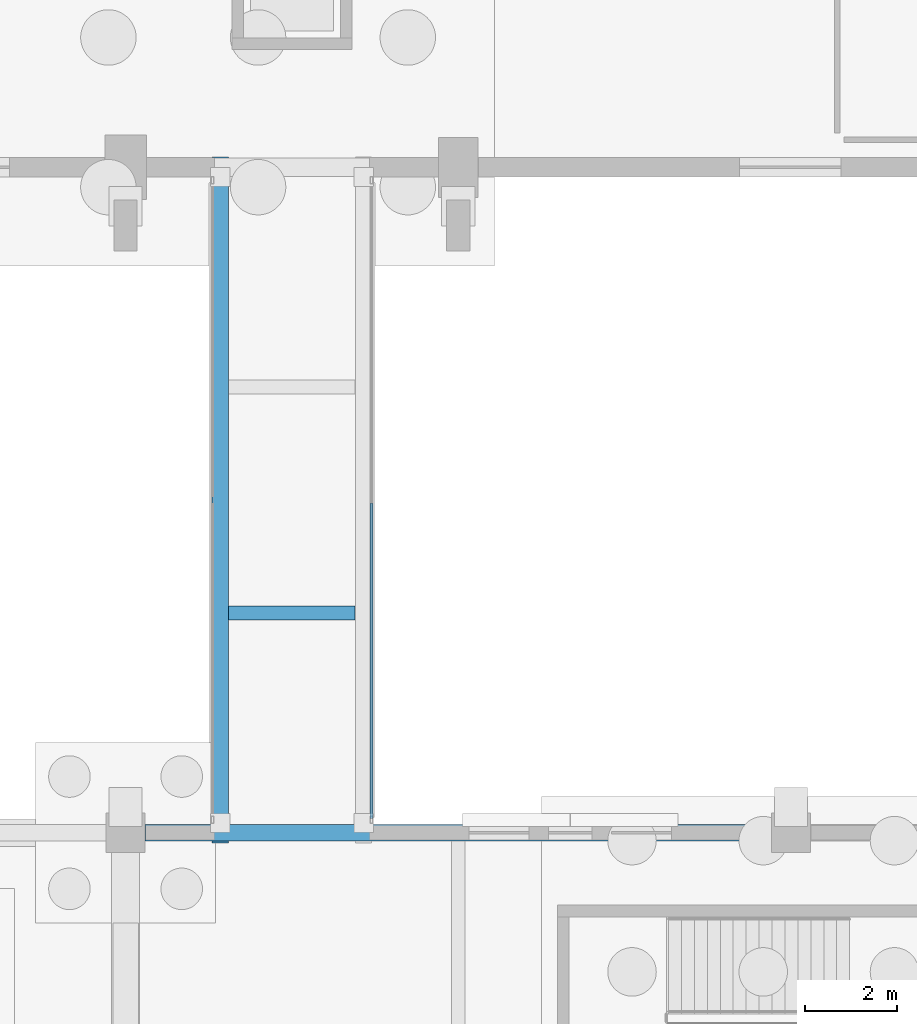
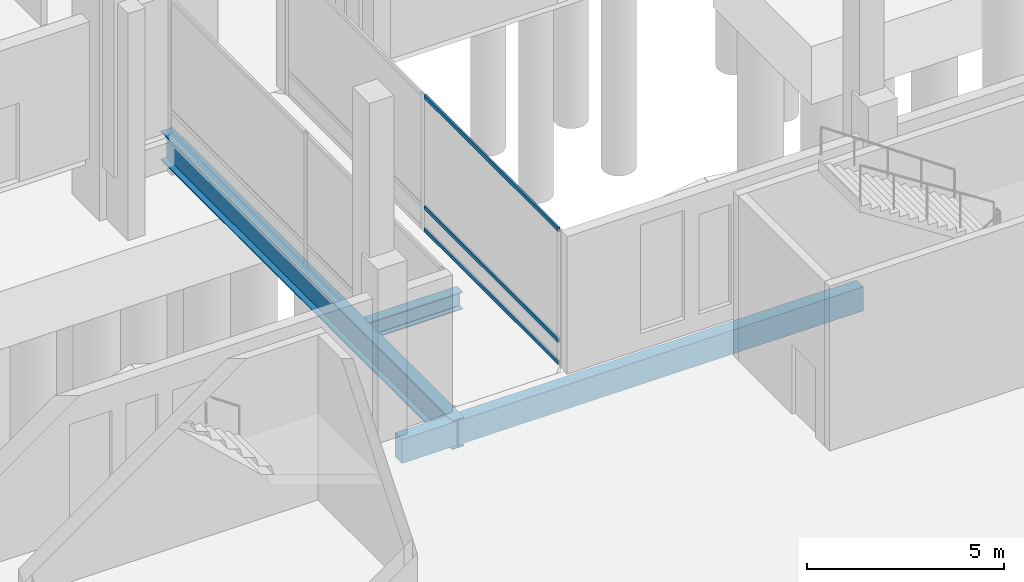
# One storey, part 35 of 192: 3 beams, 3 members, 1 element without a shape of its own.
"""IFC4 building model written with IfcOpenShell, lengths in metres."""

from ifc_helpers import new_model, si_unit, direction, frame, origin, origin_2d, place, context, subcontext, project, spatial, rectangle, hollow_rectangle, i_section, extrude, material, material_profile, profile_set, type_object, element, aggregate, save


model = new_model("IFC4")

# Units and contexts
model_context = context("Model", 3, precision=1e-05, world=origin(), true_north=direction((0.0, 1.0)))
body_context = subcontext(model_context, "Body", "Model", "MODEL_VIEW")
ifc_project = project(units=[si_unit("LENGTHUNIT", "METRE"), si_unit("AREAUNIT", "SQUARE_METRE"), si_unit("VOLUMEUNIT", "CUBIC_METRE"), si_unit("PLANEANGLEUNIT", "RADIAN"), si_unit("MASSUNIT", "GRAM", prefix="KILO")], contexts=[model_context])

# Site, building, storey
site_placement = place(None, origin())
site = spatial("IfcSite", under=ifc_project, at=site_placement, CompositionType="ELEMENT")
building_placement = place(site_placement, origin())
building = spatial("IfcBuilding", under=site, at=building_placement, Name="Cendralis Lancet Convention Centre", CompositionType="ELEMENT")
storey_placement = place(building_placement, origin())
storey = spatial("IfcBuildingStorey", under=building, at=storey_placement, Name="L00", CompositionType="ELEMENT", Elevation=0.0)

# Curtain wall, members
ifc_material_1 = material(Name="Anodised bronze architectural aluminium", Category="aluminium")
curtain_wall_type = type_object("IfcCurtainWallType", Name="ARC-CW-BR01", PredefinedType="USERDEFINED", material=ifc_material_1)
curtain_wall_placement = place(storey_placement, origin())
curtain_wall = element("IfcCurtainWall", 1, at=curtain_wall_placement, inside=storey, type_object=curtain_wall_type, Name="L00 Curtain Wall CW-BR1 #208", ObjectType="CURTAIN WALL", PredefinedType="USERDEFINED")
ifc_material_profile_1 = material_profile(ifc_material_1, hollow_rectangle(XDim=0.06005859375, YDim=0.1201171875, WallThickness=0.00390625, at=origin_2d()), Name="AL-TRAN 60x120x4.0")
ifc_profile_set_1 = profile_set([ifc_material_profile_1], Name="Anodised bronze architectural aluminium")
member_type = type_object("IfcMemberType", Name="ARC-CW-TR01", PredefinedType="USERDEFINED", material=ifc_profile_set_1)
member_1_placement = place(storey_placement, frame((19.719970703125, 36.31005859375, 0.06005859375), z_axis=(0.0, 1.0, 0.0), x_axis=(-1.0, 0.0, 0.0)))
member_1 = element("IfcMember", 2, at=member_1_placement, type_object=member_type, Name="Transom CW2-CW-BR1-L00-208-T0BOT", ObjectType="TRANSOM", PredefinedType="USERDEFINED", context=body_context, shape_type="SweptSolid", body=[
    extrude(hollow_rectangle(XDim=0.06005859375, YDim=0.1201171875, WallThickness=0.00390625, at=origin_2d()), origin(), (0.0, 0.0, 1.0), 6.829833984375),
])
member_2_placement = place(storey_placement, frame((19.719970703125, 36.31005859375, 0.75), z_axis=(0.0, 1.0, 0.0), x_axis=(-1.0, 0.0, 0.0)))
member_2 = element("IfcMember", 3, at=member_2_placement, type_object=member_type, Name="Transom CW2-CW-BR1-L00-208-T0MID", ObjectType="TRANSOM", PredefinedType="USERDEFINED", context=body_context, shape_type="SweptSolid", body=[
    extrude(hollow_rectangle(XDim=0.06005859375, YDim=0.1201171875, WallThickness=0.00390625, at=origin_2d()), origin(), (0.0, 0.0, 1.0), 6.829833984375),
])
member_3_placement = place(storey_placement, frame((19.719970703125, 36.31005859375, 4.18994140625), z_axis=(0.0, 1.0, 0.0), x_axis=(-1.0, 0.0, 0.0)))
member_3 = element("IfcMember", 4, at=member_3_placement, type_object=member_type, Name="Transom CW2-CW-BR1-L00-208-T0TOP", ObjectType="TRANSOM", PredefinedType="USERDEFINED", context=body_context, shape_type="SweptSolid", body=[
    extrude(hollow_rectangle(XDim=0.06005859375, YDim=0.1201171875, WallThickness=0.00390625, at=origin_2d()), origin(), (0.0, 0.0, 1.0), 6.829833984375),
])
aggregate(curtain_wall, [member_1, member_2, member_3])

# Beams
ifc_material_2 = material(Name="Steel S355", Category="steel")
ifc_material_profile_2 = material_profile(ifc_material_2, i_section(OverallWidth=0.35009765625, OverallDepth=0.89990234375, WebThickness=0.01611328125, FlangeThickness=0.028076171875, at=origin_2d()), Name="PG 900x350")
ifc_profile_set_2 = profile_set([ifc_material_profile_2], Name="Steel S355")
beam_type_1 = type_object("IfcBeamType", Name="STR-BM-SG05", PredefinedType="BEAM", material=ifc_profile_set_2)
beam_1_placement = place(storey_placement, frame((16.449951171875, 35.780029296875, -0.669921875), z_axis=(0.0, 1.0, 0.0), x_axis=(-1.0, 0.0, 0.0)))
element("IfcBeam", 5, at=beam_1_placement, inside=storey, type_object=beam_type_1, Name="L00 Beam SG05 #1916", PredefinedType="BEAM", context=body_context, shape_type="SweptSolid", body=[
    extrude(i_section(OverallWidth=0.35009765625, OverallDepth=0.89990234375, WebThickness=0.01611328125, FlangeThickness=0.028076171875, at=origin_2d()), origin(), (0.0, 0.0, 1.0), 14.840087890625),
])
ifc_material_profile_3 = material_profile(ifc_material_2, i_section(OverallWidth=0.300048828125, OverallDepth=0.5400390625, WebThickness=0.012451171875, FlangeThickness=0.02392578125, FilletRadius=0.027099609375, at=origin_2d()), Name="HEA 550")
ifc_profile_set_3 = profile_set([ifc_material_profile_3], Name="Steel S355")
beam_type_2 = type_object("IfcBeamType", Name="STR-BM-SG11", PredefinedType="BEAM", material=ifc_profile_set_3)
beam_2_placement = place(storey_placement, frame((16.6298828125, 40.751953125, -0.489990234375), z_axis=(1.0, 0.0, 0.0), x_axis=(0.0, 1.0, 0.0)))
element("IfcBeam", 6, at=beam_2_placement, inside=storey, type_object=beam_type_2, Name="L00 Beam SG11 #1918", PredefinedType="BEAM", context=body_context, shape_type="SweptSolid", body=[
    extrude(i_section(OverallWidth=0.300048828125, OverallDepth=0.5400390625, WebThickness=0.012451171875, FlangeThickness=0.02392578125, FilletRadius=0.027099609375, at=origin_2d()), origin(), (0.0, 0.0, 1.0), 2.740234375),
])
ifc_material_3 = material(Name="Concrete G40 (C40/50)", Category="concrete")
ifc_material_profile_4 = material_profile(ifc_material_3, rectangle(XDim=0.35009765625, YDim=0.75, at=origin_2d()), Name="RCB 350x750")
ifc_profile_set_4 = profile_set([ifc_material_profile_4], Name="Concrete G40 (C40/50)")
beam_type_3 = type_object("IfcBeamType", Name="STR-SP-SP01", PredefinedType="SPANDREL", material=ifc_profile_set_4)
beam_3_placement = place(storey_placement, frame((14.824951171875, 36.0, -0.695068359375), z_axis=(1.0, 0.0, 0.0), x_axis=(0.0, 1.0, 0.0)))
element("IfcBeam", 7, at=beam_3_placement, inside=storey, type_object=beam_type_3, Name="L00 Beam SP01 #0683", PredefinedType="SPANDREL", context=body_context, shape_type="SweptSolid", body=[
    extrude(rectangle(XDim=0.35009765625, YDim=0.75, at=origin_2d()), origin(), (0.0, 0.0, 1.0), 13.550048828125),
])

save(model, "model.ifc")
